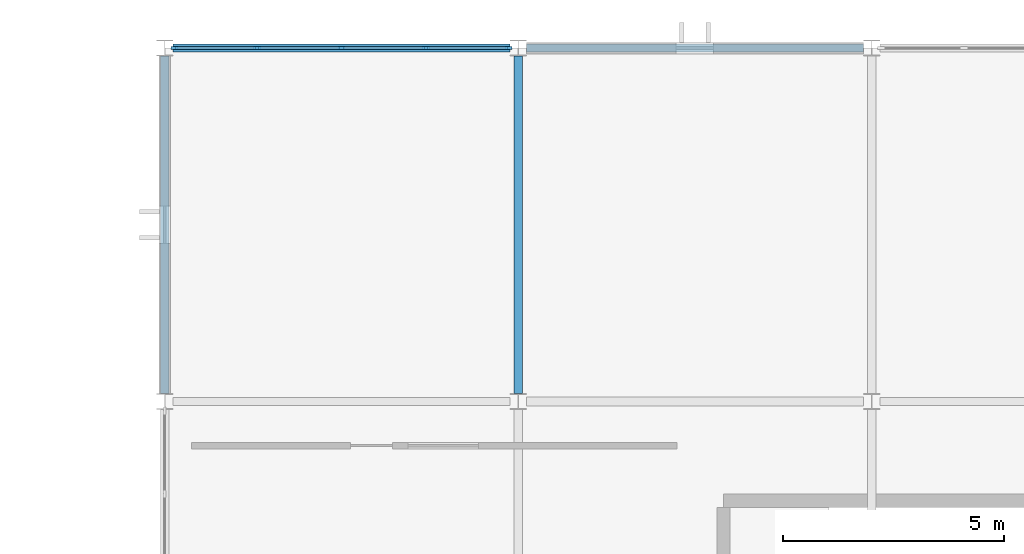
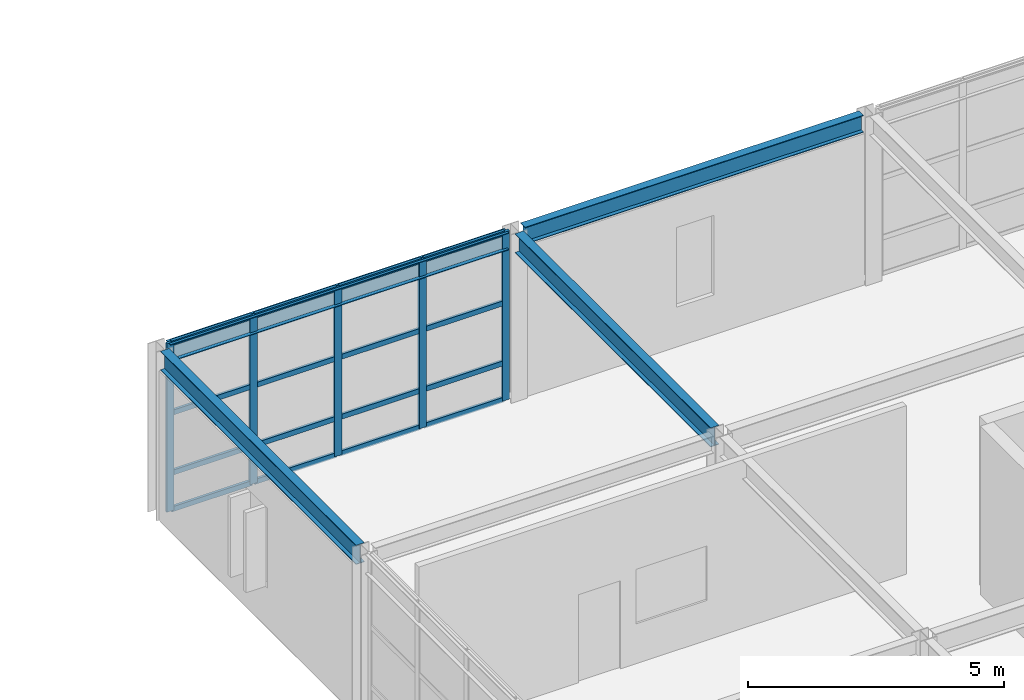
# One storey, part 18 of 34: 21 members, 4 beams, 1 element without a shape of its own.
"""IFC4 building model written with IfcOpenShell, lengths in metres."""

from ifc_helpers import new_model, si_unit, direction, frame, origin, origin_2d, place, context, subcontext, project, spatial, rectangle, i_section, extrude, material, layer, layer_set, material_profile, profile_set, type_object, element, aggregate, save


model = new_model("IFC4")

# Units and contexts
model_context = context("Model", 3, precision=1e-05, world=origin(), true_north=direction((0.0, 1.0)))
body_context = subcontext(model_context, "Body", "Model", "MODEL_VIEW")
ifc_project = project(units=[si_unit("LENGTHUNIT", "METRE"), si_unit("AREAUNIT", "SQUARE_METRE"), si_unit("VOLUMEUNIT", "CUBIC_METRE"), si_unit("PLANEANGLEUNIT", "RADIAN"), si_unit("MASSUNIT", "GRAM", prefix="KILO")], contexts=[model_context])

# Site, building, storey
site_placement = place(None, origin())
site = spatial("IfcSite", under=ifc_project, at=site_placement, CompositionType="ELEMENT")
building_placement = place(site_placement, origin())
building = spatial("IfcBuilding", under=site, at=building_placement, Name="Varnela Railside Interchange", CompositionType="ELEMENT")
storey_placement = place(building_placement, frame((0.0, 0.0, 19.60009765625)))
storey = spatial("IfcBuildingStorey", under=building, at=storey_placement, Name="L04", CompositionType="ELEMENT", Elevation=19.60009765625)

# Curtain wall, members
ifc_material_1 = material(Name="Aluminium 6063-T6", Category="aluminium")
ifc_layer = layer(ifc_material_1, 0.035888671875)
ifc_layer_set = layer_set([ifc_layer], Name="Aluminium 6063-T6")
curtain_wall_type = type_object("IfcCurtainWallType", Name="Study Pavilion Gallery Curtain Wall CW-02", PredefinedType="USERDEFINED", material=ifc_layer_set)
curtain_wall_placement = place(storey_placement, origin())
curtain_wall = element("IfcCurtainWall", 1, at=curtain_wall_placement, inside=storey, type_object=curtain_wall_type, Name="Curtain Wall CW-02 (L04) (CW-117)", ObjectType="CURTAIN WALL", PredefinedType="USERDEFINED")
ifc_material_profile_1 = material_profile(ifc_material_1, rectangle(XDim=0.06005859375, YDim=0.159912109375, at=origin_2d()), Name="ALU 60x160")
ifc_profile_set_1 = profile_set([ifc_material_profile_1], Name="Aluminium 6063-T6")
member_type_1 = type_object("IfcMemberType", Name="Curtain Wall Mullion ML-02", PredefinedType="MULLION", material=ifc_profile_set_1)
member_1_placement = place(storey_placement, frame((116.215087890625, 94.0, 0.0), z_axis=(0.0, 0.0, 1.0), x_axis=(0.0, 1.0, 0.0)))
member_1 = element("IfcMember", 2, at=member_1_placement, type_object=member_type_1, Name="CW-02 mullion 1", PredefinedType="MULLION", context=body_context, shape_type="SweptSolid", body=[
    extrude(rectangle(XDim=0.06005859375, YDim=0.159912109375, at=origin_2d()), origin(), (0.0, 0.0, 1.0), 4.02001953125),
])
member_2_placement = place(storey_placement, frame((118.092529296875, 94.0, 0.0), z_axis=(0.0, 0.0, 1.0), x_axis=(0.0, 1.0, 0.0)))
member_2 = element("IfcMember", 3, at=member_2_placement, type_object=member_type_1, Name="CW-02 mullion 2", PredefinedType="MULLION", context=body_context, shape_type="SweptSolid", body=[
    extrude(rectangle(XDim=0.06005859375, YDim=0.159912109375, at=origin_2d()), origin(), (0.0, 0.0, 1.0), 4.02001953125),
])
member_3_placement = place(storey_placement, frame((120.0, 94.0, 0.0), z_axis=(0.0, 0.0, 1.0), x_axis=(0.0, 1.0, 0.0)))
member_3 = element("IfcMember", 4, at=member_3_placement, type_object=member_type_1, Name="CW-02 mullion 3", PredefinedType="MULLION", context=body_context, shape_type="SweptSolid", body=[
    extrude(rectangle(XDim=0.06005859375, YDim=0.159912109375, at=origin_2d()), origin(), (0.0, 0.0, 1.0), 4.02001953125),
])
member_4_placement = place(storey_placement, frame((121.907470703125, 94.0, 0.0), z_axis=(0.0, 0.0, 1.0), x_axis=(0.0, 1.0, 0.0)))
member_4 = element("IfcMember", 5, at=member_4_placement, type_object=member_type_1, Name="CW-02 mullion 4", PredefinedType="MULLION", context=body_context, shape_type="SweptSolid", body=[
    extrude(rectangle(XDim=0.06005859375, YDim=0.159912109375, at=origin_2d()), origin(), (0.0, 0.0, 1.0), 4.02001953125),
])
member_5_placement = place(storey_placement, frame((123.784912109375, 94.0, 0.0), z_axis=(0.0, 0.0, 1.0), x_axis=(0.0, 1.0, 0.0)))
member_5 = element("IfcMember", 6, at=member_5_placement, type_object=member_type_1, Name="CW-02 mullion 5", PredefinedType="MULLION", context=body_context, shape_type="SweptSolid", body=[
    extrude(rectangle(XDim=0.06005859375, YDim=0.159912109375, at=origin_2d()), origin(), (0.0, 0.0, 1.0), 4.02001953125),
])
ifc_material_profile_2 = material_profile(ifc_material_1, rectangle(XDim=0.06005859375, YDim=0.1201171875, at=origin_2d()), Name="ALU 60x120")
ifc_profile_set_2 = profile_set([ifc_material_profile_2], Name="Aluminium 6063-T6")
member_type_2 = type_object("IfcMemberType", Name="Curtain Wall Transom TR-02", PredefinedType="USERDEFINED", material=ifc_profile_set_2)
member_6_placement = place(storey_placement, frame((116.2451171875, 94.0, 0.02978515625), z_axis=(1.0, 0.0, 0.0), x_axis=(0.0, 1.0, 0.0)))
member_6 = element("IfcMember", 7, at=member_6_placement, type_object=member_type_2, Name="CW-02 transom 1.1", ObjectType="TRANSOM", PredefinedType="USERDEFINED", context=body_context, shape_type="SweptSolid", body=[
    extrude(rectangle(XDim=0.06005859375, YDim=0.1201171875, at=origin_2d()), origin(), (0.0, 0.0, 1.0), 1.8173828125),
])
member_7_placement = place(storey_placement, frame((116.2451171875, 94.0, 0.89990234375), z_axis=(1.0, 0.0, 0.0), x_axis=(0.0, 1.0, 0.0)))
member_7 = element("IfcMember", 8, at=member_7_placement, type_object=member_type_2, Name="CW-02 transom 1.2", ObjectType="TRANSOM", PredefinedType="USERDEFINED", context=body_context, shape_type="SweptSolid", body=[
    extrude(rectangle(XDim=0.06005859375, YDim=0.1201171875, at=origin_2d()), origin(), (0.0, 0.0, 1.0), 1.8173828125),
])
member_8_placement = place(storey_placement, frame((116.2451171875, 94.0, 2.33154296875), z_axis=(1.0, 0.0, 0.0), x_axis=(0.0, 1.0, 0.0)))
member_8 = element("IfcMember", 9, at=member_8_placement, type_object=member_type_2, Name="CW-02 transom 1.3", ObjectType="TRANSOM", PredefinedType="USERDEFINED", context=body_context, shape_type="SweptSolid", body=[
    extrude(rectangle(XDim=0.06005859375, YDim=0.1201171875, at=origin_2d()), origin(), (0.0, 0.0, 1.0), 1.8173828125),
])
member_9_placement = place(storey_placement, frame((116.2451171875, 94.0, 3.989990234375), z_axis=(1.0, 0.0, 0.0), x_axis=(0.0, 1.0, 0.0)))
member_9 = element("IfcMember", 10, at=member_9_placement, type_object=member_type_2, Name="CW-02 transom 1.4", ObjectType="TRANSOM", PredefinedType="USERDEFINED", context=body_context, shape_type="SweptSolid", body=[
    extrude(rectangle(XDim=0.06005859375, YDim=0.1201171875, at=origin_2d()), origin(), (0.0, 0.0, 1.0), 1.8173828125),
])
member_10_placement = place(storey_placement, frame((118.12255859375, 94.0, 0.02978515625), z_axis=(1.0, 0.0, 0.0), x_axis=(0.0, 1.0, 0.0)))
member_10 = element("IfcMember", 11, at=member_10_placement, type_object=member_type_2, Name="CW-02 transom 2.1", ObjectType="TRANSOM", PredefinedType="USERDEFINED", context=body_context, shape_type="SweptSolid", body=[
    extrude(rectangle(XDim=0.06005859375, YDim=0.1201171875, at=origin_2d()), origin(), (0.0, 0.0, 1.0), 1.847412109375),
])
member_11_placement = place(storey_placement, frame((118.12255859375, 94.0, 0.89990234375), z_axis=(1.0, 0.0, 0.0), x_axis=(0.0, 1.0, 0.0)))
member_11 = element("IfcMember", 12, at=member_11_placement, type_object=member_type_2, Name="CW-02 transom 2.2", ObjectType="TRANSOM", PredefinedType="USERDEFINED", context=body_context, shape_type="SweptSolid", body=[
    extrude(rectangle(XDim=0.06005859375, YDim=0.1201171875, at=origin_2d()), origin(), (0.0, 0.0, 1.0), 1.847412109375),
])
member_12_placement = place(storey_placement, frame((118.12255859375, 94.0, 2.33154296875), z_axis=(1.0, 0.0, 0.0), x_axis=(0.0, 1.0, 0.0)))
member_12 = element("IfcMember", 13, at=member_12_placement, type_object=member_type_2, Name="CW-02 transom 2.3", ObjectType="TRANSOM", PredefinedType="USERDEFINED", context=body_context, shape_type="SweptSolid", body=[
    extrude(rectangle(XDim=0.06005859375, YDim=0.1201171875, at=origin_2d()), origin(), (0.0, 0.0, 1.0), 1.847412109375),
])
member_13_placement = place(storey_placement, frame((118.12255859375, 94.0, 3.989990234375), z_axis=(1.0, 0.0, 0.0), x_axis=(0.0, 1.0, 0.0)))
member_13 = element("IfcMember", 14, at=member_13_placement, type_object=member_type_2, Name="CW-02 transom 2.4", ObjectType="TRANSOM", PredefinedType="USERDEFINED", context=body_context, shape_type="SweptSolid", body=[
    extrude(rectangle(XDim=0.06005859375, YDim=0.1201171875, at=origin_2d()), origin(), (0.0, 0.0, 1.0), 1.847412109375),
])
member_14_placement = place(storey_placement, frame((120.030029296875, 94.0, 0.02978515625), z_axis=(1.0, 0.0, 0.0), x_axis=(0.0, 1.0, 0.0)))
member_14 = element("IfcMember", 15, at=member_14_placement, type_object=member_type_2, Name="CW-02 transom 3.1", ObjectType="TRANSOM", PredefinedType="USERDEFINED", context=body_context, shape_type="SweptSolid", body=[
    extrude(rectangle(XDim=0.06005859375, YDim=0.1201171875, at=origin_2d()), origin(), (0.0, 0.0, 1.0), 1.847412109375),
])
member_15_placement = place(storey_placement, frame((120.030029296875, 94.0, 0.89990234375), z_axis=(1.0, 0.0, 0.0), x_axis=(0.0, 1.0, 0.0)))
member_15 = element("IfcMember", 16, at=member_15_placement, type_object=member_type_2, Name="CW-02 transom 3.2", ObjectType="TRANSOM", PredefinedType="USERDEFINED", context=body_context, shape_type="SweptSolid", body=[
    extrude(rectangle(XDim=0.06005859375, YDim=0.1201171875, at=origin_2d()), origin(), (0.0, 0.0, 1.0), 1.847412109375),
])
member_16_placement = place(storey_placement, frame((120.030029296875, 94.0, 2.33154296875), z_axis=(1.0, 0.0, 0.0), x_axis=(0.0, 1.0, 0.0)))
member_16 = element("IfcMember", 17, at=member_16_placement, type_object=member_type_2, Name="CW-02 transom 3.3", ObjectType="TRANSOM", PredefinedType="USERDEFINED", context=body_context, shape_type="SweptSolid", body=[
    extrude(rectangle(XDim=0.06005859375, YDim=0.1201171875, at=origin_2d()), origin(), (0.0, 0.0, 1.0), 1.847412109375),
])
member_17_placement = place(storey_placement, frame((120.030029296875, 94.0, 3.989990234375), z_axis=(1.0, 0.0, 0.0), x_axis=(0.0, 1.0, 0.0)))
member_17 = element("IfcMember", 18, at=member_17_placement, type_object=member_type_2, Name="CW-02 transom 3.4", ObjectType="TRANSOM", PredefinedType="USERDEFINED", context=body_context, shape_type="SweptSolid", body=[
    extrude(rectangle(XDim=0.06005859375, YDim=0.1201171875, at=origin_2d()), origin(), (0.0, 0.0, 1.0), 1.847412109375),
])
member_18_placement = place(storey_placement, frame((121.9375, 94.0, 0.02978515625), z_axis=(1.0, 0.0, 0.0), x_axis=(0.0, 1.0, 0.0)))
member_18 = element("IfcMember", 19, at=member_18_placement, type_object=member_type_2, Name="CW-02 transom 4.1", ObjectType="TRANSOM", PredefinedType="USERDEFINED", context=body_context, shape_type="SweptSolid", body=[
    extrude(rectangle(XDim=0.06005859375, YDim=0.1201171875, at=origin_2d()), origin(), (0.0, 0.0, 1.0), 1.8173828125),
])
member_19_placement = place(storey_placement, frame((121.9375, 94.0, 0.89990234375), z_axis=(1.0, 0.0, 0.0), x_axis=(0.0, 1.0, 0.0)))
member_19 = element("IfcMember", 20, at=member_19_placement, type_object=member_type_2, Name="CW-02 transom 4.2", ObjectType="TRANSOM", PredefinedType="USERDEFINED", context=body_context, shape_type="SweptSolid", body=[
    extrude(rectangle(XDim=0.06005859375, YDim=0.1201171875, at=origin_2d()), origin(), (0.0, 0.0, 1.0), 1.8173828125),
])
member_20_placement = place(storey_placement, frame((121.9375, 94.0, 2.33154296875), z_axis=(1.0, 0.0, 0.0), x_axis=(0.0, 1.0, 0.0)))
member_20 = element("IfcMember", 21, at=member_20_placement, type_object=member_type_2, Name="CW-02 transom 4.3", ObjectType="TRANSOM", PredefinedType="USERDEFINED", context=body_context, shape_type="SweptSolid", body=[
    extrude(rectangle(XDim=0.06005859375, YDim=0.1201171875, at=origin_2d()), origin(), (0.0, 0.0, 1.0), 1.8173828125),
])
member_21_placement = place(storey_placement, frame((121.9375, 94.0, 3.989990234375), z_axis=(1.0, 0.0, 0.0), x_axis=(0.0, 1.0, 0.0)))
member_21 = element("IfcMember", 22, at=member_21_placement, type_object=member_type_2, Name="CW-02 transom 4.4", ObjectType="TRANSOM", PredefinedType="USERDEFINED", context=body_context, shape_type="SweptSolid", body=[
    extrude(rectangle(XDim=0.06005859375, YDim=0.1201171875, at=origin_2d()), origin(), (0.0, 0.0, 1.0), 1.8173828125),
])
aggregate(curtain_wall, [member_1, member_2, member_3, member_4, member_5, member_6, member_7, member_8, member_9, member_10, member_11, member_12, member_13, member_14, member_15, member_16, member_17, member_18, member_19, member_20, member_21])

# Beams
ifc_material_2 = material(Name="Steel AR 350 (350 MPa)", Category="steel")
ifc_material_profile_3 = material_profile(ifc_material_2, i_section(OverallWidth=0.19091796875, OverallDepth=0.4599609375, WebThickness=0.010009765625, FlangeThickness=0.01611328125, at=origin_2d()), Name="W460x82")
ifc_profile_set_3 = profile_set([ifc_material_profile_3], Name="Steel AR 350 (350 MPa)")
beam_type_1 = type_object("IfcBeamType", Name="Steel Perimeter Spandrel SP-01", PredefinedType="SPANDREL", material=ifc_profile_set_3)
for number, where, z_axis, x_axis, name in (
    (23, (116.0, 86.179931640625, 3.789794921875), (0.0, 1.0, 0.0), (-1.0, 0.0, 0.0), "Steel Perimeter Spandrel SP-01 (L04) (BM-2481)"),
    (24, (124.0, 86.179931640625, 3.789794921875), (0.0, 1.0, 0.0), (-1.0, 0.0, 0.0), "Steel Perimeter Spandrel SP-01 (L04) (BM-2486)"),
):
    element("IfcBeam", number, at=place(storey_placement, frame(where, z_axis=z_axis, x_axis=x_axis)), inside=storey, type_object=beam_type_1, Name=name, PredefinedType="SPANDREL", context=body_context, shape_type="SweptSolid", body=[
        extrude(i_section(OverallWidth=0.19091796875, OverallDepth=0.4599609375, WebThickness=0.010009765625, FlangeThickness=0.01611328125, at=origin_2d()), origin(), (0.0, 0.0, 1.0), 7.64013671875),
    ])
ifc_material_profile_4 = material_profile(ifc_material_2, i_section(OverallWidth=0.178955078125, OverallDepth=0.409912109375, WebThickness=0.0087890625, FlangeThickness=0.014404296875, at=origin_2d()), Name="W410x67")
ifc_profile_set_4 = profile_set([ifc_material_profile_4], Name="Steel AR 350 (350 MPa)")
beam_type_2 = type_object("IfcBeamType", Name="Steel Terrace Spandrel SP-02", PredefinedType="SPANDREL", material=ifc_profile_set_4)
for number, where, z_axis, x_axis, name in (
    (25, (116.18505859375, 94.0, 3.81494140625), (1.0, 0.0, 0.0), (0.0, 1.0, 0.0), "Steel Terrace Spandrel SP-02 (L04) (BM-2468)"),
    (26, (124.18505859375, 94.0, 3.81494140625), (1.0, 0.0, 0.0), (0.0, 1.0, 0.0), "Steel Terrace Spandrel SP-02 (L04) (BM-2469)"),
):
    element("IfcBeam", number, at=place(storey_placement, frame(where, z_axis=z_axis, x_axis=x_axis)), inside=storey, type_object=beam_type_2, Name=name, PredefinedType="SPANDREL", context=body_context, shape_type="SweptSolid", body=[
        extrude(i_section(OverallWidth=0.178955078125, OverallDepth=0.409912109375, WebThickness=0.0087890625, FlangeThickness=0.014404296875, at=origin_2d()), origin(), (0.0, 0.0, 1.0), 7.6298828125),
    ])

save(model, "model.ifc")
